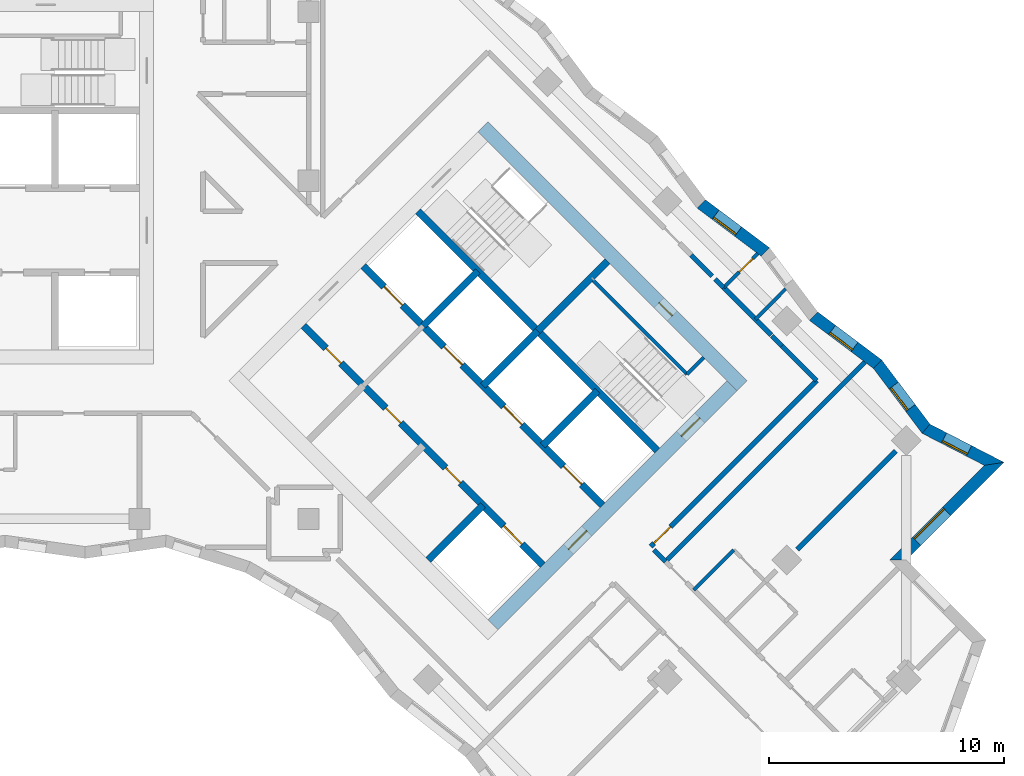
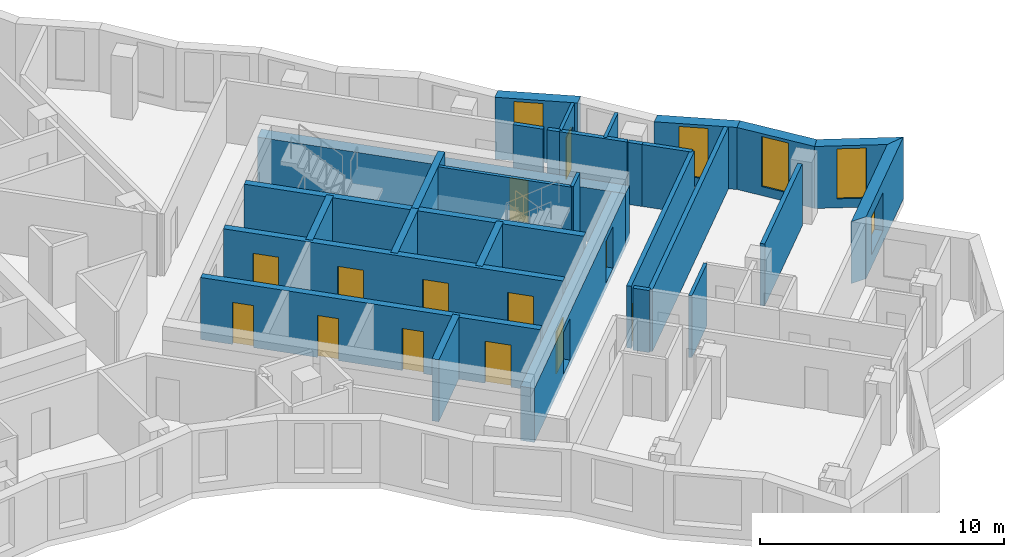
# One storey, part 9 of 12: 30 walls, 13 doors, 5 windows, 18 openings.
"""IFC4 building model written with IfcOpenShell, lengths in metres."""

import ifcopenshell
import ifcopenshell.guid

model = None  # the IFC model being written
_history = None  # IfcOwnerHistory: only IFC2X3 demands one
_inside = {}  # id of a spatial element -> (the spatial element, [elements in it])
_under = {}  # id of a project, library or spatial element -> (it, [spatial elements below it])
_declared = {}  # id of a project -> (the project, [libraries it declares])
_typed = {}  # id of a type object -> (the type object, [elements of that type])
_made_of = {}  # id of a material, layer set ... -> (it, [elements and type objects made of it])


def new_model(schema):
    """Start an empty IFC model of exactly this schema.

    Asked for "IFC4X3", IfcOpenShell would pick the latest addendum, in which some entities
    have other attributes; the version numbers below select the first issue.
    IFC2X3 requires an IfcOwnerHistory on every rooted entity: one is made here for all.
    """
    global model, _history
    if schema == "IFC4X3":
        model = ifcopenshell.file(schema_version=(4, 3, 0, 0))
    else:
        model = ifcopenshell.file(schema=schema)
    _inside.clear()
    _under.clear()
    _declared.clear()
    _typed.clear()
    _made_of.clear()
    _history = None
    if model.schema == "IFC2X3":
        org = make("IfcOrganization", Name="unknown")
        user = make(
            "IfcPersonAndOrganization",
            ThePerson=make("IfcPerson", FamilyName="unknown"),
            TheOrganization=org,
        )
        app = make(
            "IfcApplication",
            ApplicationDeveloper=org,
            Version="unknown",
            ApplicationFullName="unknown",
            ApplicationIdentifier="unknown",
        )
        _history = make(
            "IfcOwnerHistory",
            OwningUser=user,
            OwningApplication=app,
            ChangeAction="ADDED",
            CreationDate=0,
        )
    return model


def make(cls, **values):
    """One entity of the class cls with the attributes given. An attribute that is None is left unset."""
    return model.create_entity(
        cls, **{name: value for name, value in values.items() if value is not None}
    )


def rooted(cls, **values):
    """An entity with a GlobalId (a new one), such as an element, a storey or a relation."""
    return make(cls, GlobalId=ifcopenshell.guid.new(), OwnerHistory=_history, **values)


def si_unit(unit_type, name, prefix=None):
    """IfcSIUnit, for example si_unit("LENGTHUNIT", "METRE", prefix="MILLI")."""
    return make("IfcSIUnit", UnitType=unit_type, Prefix=prefix, Name=name)


def assignment(units):
    """IfcUnitAssignment: the units of a project."""
    return None if units is None else make("IfcUnitAssignment", Units=units)


def point(xyz):
    """IfcCartesianPoint."""
    return None if xyz is None else make("IfcCartesianPoint", Coordinates=xyz)


def direction(xyz):
    """IfcDirection."""
    return None if xyz is None else make("IfcDirection", DirectionRatios=xyz)


def frame(location, z_axis=None, x_axis=None):
    """IfcAxis2Placement3D, a coordinate frame: its origin and axes. An axis left out is left unset."""
    return make(
        "IfcAxis2Placement3D",
        Location=point(location),
        Axis=direction(z_axis),
        RefDirection=direction(x_axis),
    )


def frame_2d(location, x_axis=None):
    """IfcAxis2Placement2D, a coordinate frame in the plane: its origin and x axis."""
    return make(
        "IfcAxis2Placement2D", Location=point(location), RefDirection=direction(x_axis)
    )


def origin():
    """The frame at (0, 0, 0) with its axes left unset."""
    return frame((0.0, 0.0, 0.0))


def place(relative_to, where):
    """IfcLocalPlacement: puts the frame where relative to a parent placement (None: the world)."""
    return make(
        "IfcLocalPlacement", PlacementRelTo=relative_to, RelativePlacement=where
    )


def context(
    kind, dimensions, precision=None, world=None, true_north=None, identifier=None
):
    """IfcGeometricRepresentationContext, for example the 3D "Model" context."""
    return make(
        "IfcGeometricRepresentationContext",
        ContextIdentifier=identifier,
        ContextType=kind,
        CoordinateSpaceDimension=dimensions,
        Precision=precision,
        WorldCoordinateSystem=world,
        TrueNorth=true_north,
    )


def subcontext(parent, identifier, kind, view, scale=None):
    """IfcGeometricRepresentationSubContext, for example "Body" below "Model"."""
    return make(
        "IfcGeometricRepresentationSubContext",
        ContextIdentifier=identifier,
        ContextType=kind,
        ParentContext=parent,
        TargetScale=scale,
        TargetView=view,
    )


def project(units=None, contexts=None):
    """IfcProject with its units and contexts."""
    return rooted(
        "IfcProject",
        Name="project",
        RepresentationContexts=contexts,
        UnitsInContext=assignment(units),
    )


def spatial(cls, under=None, at=None, **own):
    """A site, building, storey or space (cls), placed at a placement, below another one or the project."""
    s = rooted(cls, ObjectPlacement=at, **own)
    if under is not None:
        _under.setdefault(under.id(), (under, []))[1].append(s)
    return s


def polyline(points):
    """IfcPolyline through the points."""
    return make("IfcPolyline", Points=[point(p) for p in points])


def profile(cls, at=None, kind="AREA", **sizes):
    """A parametric profile (cls). Its sizes go by their IFC names, for example OverallWidth=200.0."""
    return make(cls, ProfileType=kind, Position=at, **sizes)


def rectangle(**sizes):
    """IfcRectangleProfileDef."""
    return profile("IfcRectangleProfileDef", **sizes)


def outline(outer, holes=None, kind="AREA"):
    """IfcArbitraryClosedProfileDef: a profile drawn as a closed curve; with holes, ...WithVoids."""
    if holes is None:
        return make("IfcArbitraryClosedProfileDef", ProfileType=kind, OuterCurve=outer)
    return make(
        "IfcArbitraryProfileDefWithVoids",
        ProfileType=kind,
        OuterCurve=outer,
        InnerCurves=holes,
    )


def extrude(swept, where, along, depth):
    """IfcExtrudedAreaSolid: the profile swept, set in the frame where, extruded along a direction by depth."""
    return make(
        "IfcExtrudedAreaSolid",
        SweptArea=swept,
        Position=where,
        ExtrudedDirection=direction(along),
        Depth=depth,
    )


def shape(context_of_items, identifier, shape_type, items):
    """IfcShapeRepresentation: the items that make up one representation, for example the "Body"."""
    return make(
        "IfcShapeRepresentation",
        ContextOfItems=context_of_items,
        RepresentationIdentifier=identifier,
        RepresentationType=shape_type,
        Items=items,
    )


def material(Name=None, Category=None):
    """IfcMaterial."""
    return make("IfcMaterial", Name=Name, Category=Category)


def layer(
    of_material, thickness, ventilated=None, Name=None, Category=None, Priority=None
):
    """IfcMaterialLayer: one layer of a wall or slab, of a material (None: an air gap)."""
    return make(
        "IfcMaterialLayer",
        Material=of_material,
        LayerThickness=thickness,
        IsVentilated=ventilated,
        Name=Name,
        Category=Category,
        Priority=Priority,
    )


def layer_set(layers, Name=None):
    """IfcMaterialLayerSet."""
    return make("IfcMaterialLayerSet", MaterialLayers=layers, LayerSetName=Name)


def made_of(thing, what):
    """Note that an element or type object is made of a material, layer set ...; save() writes the relation."""
    if what is not None:
        _made_of.setdefault(what.id(), (what, []))[1].append(thing)
    return thing


def type_object(cls, material=None, **own):
    """A type object (cls), such as IfcWallType, which elements share."""
    return made_of(rooted(cls, **own), material)


def element(
    cls,
    number,
    at=None,
    inside=None,
    cuts=None,
    type_object=None,
    material=None,
    context=None,
    identifier="Body",
    shape_type=None,
    held_by="IfcProductDefinitionShape",
    body=None,
    shapes=None,
    **own,
):
    """One element of the class cls, such as IfcWall. Its Tag is "e" and its number.

    at: its placement. inside: the storey or other place that contains it. cuts: it is an
    opening in that element (IfcRelVoidsElement). A single representation is given by context,
    identifier, shape_type and body (its items); several are given by shapes. held_by: the class
    of the entity that holds the representations. save() writes the other relations.
    """
    e = rooted(cls, Tag="e%d" % number, ObjectPlacement=at, **own)
    if body is not None:
        shapes = [shape(context, identifier, shape_type, body)]
    if shapes is not None:
        e.Representation = make(held_by, Representations=shapes)
    if inside is not None:
        _inside.setdefault(inside.id(), (inside, []))[1].append(e)
    if cuts is not None:
        rooted(
            "IfcRelVoidsElement", RelatingBuildingElement=cuts, RelatedOpeningElement=e
        )
    if type_object is not None:
        _typed.setdefault(type_object.id(), (type_object, []))[1].append(e)
    return made_of(e, material)


def fill(opening, filler):
    """IfcRelFillsElement: the door or window that sits in an opening."""
    return rooted(
        "IfcRelFillsElement",
        RelatingOpeningElement=opening,
        RelatedBuildingElement=filler,
    )


def aggregate(whole, parts):
    """IfcRelAggregates: a whole, such as a stair, and the parts it consists of."""
    return rooted("IfcRelAggregates", RelatingObject=whole, RelatedObjects=parts)


def save(model, path):
    """Write the relations noted so far, then the file.

    IfcRelAggregates (storeys below a building ...), IfcRelContainedInSpatialStructure (elements
    in a storey), IfcRelDefinesByType, IfcRelAssociatesMaterial and IfcRelDeclares: one each for
    every whole, place, type object, material and project.
    """
    for whole, parts in _under.values():
        aggregate(whole, parts)
    for where, things in _inside.values():
        rooted(
            "IfcRelContainedInSpatialStructure",
            RelatedElements=things,
            RelatingStructure=where,
        )
    for kind, things in _typed.values():
        rooted("IfcRelDefinesByType", RelatedObjects=things, RelatingType=kind)
    for what, things in _made_of.values():
        rooted("IfcRelAssociatesMaterial", RelatedObjects=things, RelatingMaterial=what)
    for by, libraries in _declared.values():
        rooted("IfcRelDeclares", RelatingContext=by, RelatedDefinitions=libraries)
    model.write(path)


model = new_model("IFC4")

# Units and contexts
model_context = context("Model", 3, precision=1e-05, world=origin(), true_north=direction((0.0, 1.0)))
body_context = subcontext(model_context, "Body", "Model", "MODEL_VIEW")
ifc_project = project(units=[si_unit("LENGTHUNIT", "METRE"), si_unit("AREAUNIT", "SQUARE_METRE"), si_unit("VOLUMEUNIT", "CUBIC_METRE"), si_unit("PLANEANGLEUNIT", "RADIAN"), si_unit("MASSUNIT", "GRAM", prefix="KILO")], contexts=[model_context])

# Site, building, storey
site_placement = place(None, origin())
site = spatial("IfcSite", under=ifc_project, at=site_placement, CompositionType="ELEMENT")
building_placement = place(site_placement, origin())
building = spatial("IfcBuilding", under=site, at=building_placement, Name="Windrow Commons", CompositionType="ELEMENT")
storey_placement = place(building_placement, frame((0.0, 0.0, 155.8)))
storey = spatial("IfcBuildingStorey", under=building, at=storey_placement, Name="L42", CompositionType="ELEMENT", Elevation=155.8)

# Wall, opening, window
ifc_material_1 = material(Name="Brick masonry, red clay brick", Category="masonry")
ifc_layer_1 = layer(ifc_material_1, 0.5)
ifc_layer_set_1 = layer_set([ifc_layer_1], Name="Brick facade wall 500")
wall_type_1 = type_object("IfcWallType", Name="Brick facade wall 500", PredefinedType="SOLIDWALL", material=ifc_layer_set_1)
wall_1_placement = place(storey_placement, frame((104.3022, 41.453, 0.0), z_axis=(0.0, 0.0, 1.0), x_axis=(0.7071240536, 0.7070895083, 0.0)))
wall_1 = element("IfcWall", 1, at=wall_1_placement, inside=storey, type_object=wall_type_1, Name="Brick facade wall L42 6", PredefinedType="SOLIDWALL", context=body_context, shape_type="SweptSolid", body=[
    extrude(outline(polyline([(0.25, -0.25), (6.1321, -0.25), (5.4469, 0.25), (-0.25, 0.25), (0.25, -0.25)])), origin(), (0.0, 0.0, 1.0), 3.1),
])
opening_1_placement = place(wall_1_placement, frame((1.125, 0.0, 0.6)))
opening_1 = element("IfcOpeningElement", 2, at=opening_1_placement, cuts=wall_1, Name="Opening W1L", PredefinedType="OPENING", context=body_context, shape_type="SweptSolid", body=[
    extrude(rectangle(XDim=1.8, YDim=1.9, at=frame_2d((0.9, 0.95))), frame((0.0, 0.26, 0.0), z_axis=(0.0, -1.0, 0.0), x_axis=(1.0, 0.0, 0.0)), (0.0, 0.0, 1.0), 0.52),
])
ifc_material_2 = material(Name="Clear float glass in anodised aluminium frame", Category="aluminium")
window_type_1 = type_object("IfcWindowType", Name="Window W1L bedroom 1800x1900", PartitioningType="SINGLE_PANEL", PredefinedType="WINDOW", material=ifc_material_2)
window_1_placement = place(opening_1_placement, origin())
window_1 = element("IfcWindow", 3, at=window_1_placement, inside=storey, type_object=window_type_1, Name="Window L42 6.1", OverallHeight=1.9, OverallWidth=1.8, PartitioningType="SINGLE_PANEL", PredefinedType="WINDOW", context=body_context, shape_type="SweptSolid", body=[
    extrude(rectangle(XDim=1.8, YDim=1.9, at=frame_2d((0.9, 0.95))), frame((0.0, 0.18, 0.0), z_axis=(0.0, -1.0, 0.0), x_axis=(1.0, 0.0, 0.0)), (0.0, 0.0, 1.0), 0.06),
])
fill(opening_1, window_1)

wall_2_placement = place(storey_placement, frame((108.3961, 45.5467, 0.0), z_axis=(0.0, 0.0, 1.0), x_axis=(-0.8890618858, 0.4577870282, 0.0)))
wall_2 = element("IfcWall", 4, at=wall_2_placement, inside=storey, type_object=wall_type_1, Name="Brick facade wall L42 7", PredefinedType="SOLIDWALL", context=body_context, shape_type="SweptSolid", body=[
    extrude(outline(polyline([(-0.3426, -0.25), (3.2052, -0.25), (3.3201, 0.25), (0.3426, 0.25), (-0.3426, -0.25)])), origin(), (0.0, 0.0, 1.0), 3.1),
])
opening_2_placement = place(wall_2_placement, frame((1.2026, 0.0, 0.45)))
opening_2 = element("IfcOpeningElement", 5, at=opening_2_placement, cuts=wall_2, Name="Opening W7E", PredefinedType="OPENING", context=body_context, shape_type="SweptSolid", body=[
    extrude(rectangle(XDim=1.2, YDim=2.5, at=frame_2d((0.6, 1.25))), frame((0.0, 0.26, 0.0), z_axis=(0.0, -1.0, 0.0), x_axis=(1.0, 0.0, 0.0)), (0.0, 0.0, 1.0), 0.52),
])
ifc_material_3 = material(Name="Clear float glass in anodised aluminium frame", Category="aluminium")
window_type_2 = type_object("IfcWindowType", Name="Window W7 notch 1200x2500", PartitioningType="SINGLE_PANEL", PredefinedType="WINDOW", material=ifc_material_3)
window_2_placement = place(opening_2_placement, origin())
window_2 = element("IfcWindow", 6, at=window_2_placement, inside=storey, type_object=window_type_2, Name="Window L42 7.1", OverallHeight=2.5, OverallWidth=1.2, PartitioningType="SINGLE_PANEL", PredefinedType="WINDOW", context=body_context, shape_type="SweptSolid", body=[
    extrude(rectangle(XDim=1.2, YDim=2.5, at=frame_2d((0.6, 1.25))), frame((0.0, 0.18, 0.0), z_axis=(0.0, -1.0, 0.0), x_axis=(1.0, 0.0, 0.0)), (0.0, 0.0, 1.0), 0.06),
])
fill(opening_2, window_2)

wall_3_placement = place(storey_placement, frame((105.4954, 47.0403, 0.0), z_axis=(0.0, 0.0, 1.0), x_axis=(-0.600158369, 0.7998811987, 0.0)))
wall_3 = element("IfcWall", 7, at=wall_3_placement, inside=storey, type_object=wall_type_1, Name="Brick facade wall L42 8", PredefinedType="SOLIDWALL", context=body_context, shape_type="SweptSolid", body=[
    extrude(outline(polyline([(0.0574, -0.25), (3.4704, -0.25), (3.3991, 0.25), (-0.0574, 0.25), (0.0574, -0.25)])), origin(), (0.0, 0.0, 1.0), 3.1),
])
opening_3_placement = place(wall_3_placement, frame((1.0995, 0.0, 0.45)))
opening_3 = element("IfcOpeningElement", 8, at=opening_3_placement, cuts=wall_3, Name="Opening W7E", PredefinedType="OPENING", context=body_context, shape_type="SweptSolid", body=[
    extrude(rectangle(XDim=1.2, YDim=2.5, at=frame_2d((0.6, 1.25))), frame((0.0, 0.26, 0.0), z_axis=(0.0, -1.0, 0.0), x_axis=(1.0, 0.0, 0.0)), (0.0, 0.0, 1.0), 0.52),
])
window_3_placement = place(opening_3_placement, origin())
window_3 = element("IfcWindow", 9, at=window_3_placement, inside=storey, type_object=window_type_2, Name="Window L42 8.1", OverallHeight=2.5, OverallWidth=1.2, PartitioningType="SINGLE_PANEL", PredefinedType="WINDOW", context=body_context, shape_type="SweptSolid", body=[
    extrude(rectangle(XDim=1.2, YDim=2.5, at=frame_2d((0.6, 1.25))), frame((0.0, 0.18, 0.0), z_axis=(0.0, -1.0, 0.0), x_axis=(1.0, 0.0, 0.0)), (0.0, 0.0, 1.0), 0.06),
])
fill(opening_3, window_3)

wall_4_placement = place(storey_placement, frame((103.434, 49.7877, 0.0), z_axis=(0.0, 0.0, 1.0), x_axis=(-0.7998874743, 0.600150005, 0.0)))
wall_4 = element("IfcWall", 10, at=wall_4_placement, inside=storey, type_object=wall_type_1, Name="Brick facade wall L42 9", PredefinedType="SOLIDWALL", context=body_context, shape_type="SweptSolid", body=[
    extrude(outline(polyline([(-0.0357, -0.25), (3.3773, -0.25), (3.4486, 0.25), (0.0357, 0.25), (-0.0357, -0.25)])), origin(), (0.0, 0.0, 1.0), 3.1),
])
opening_4_placement = place(wall_4_placement, frame((1.23, 0.0, 0.45)))
opening_4 = element("IfcOpeningElement", 11, at=opening_4_placement, cuts=wall_4, Name="Opening W7E", PredefinedType="OPENING", context=body_context, shape_type="SweptSolid", body=[
    extrude(rectangle(XDim=1.2, YDim=2.5, at=frame_2d((0.6, 1.25))), frame((0.0, 0.26, 0.0), z_axis=(0.0, -1.0, 0.0), x_axis=(1.0, 0.0, 0.0)), (0.0, 0.0, 1.0), 0.52),
])
window_4_placement = place(opening_4_placement, origin())
window_4 = element("IfcWindow", 12, at=window_4_placement, inside=storey, type_object=window_type_2, Name="Window L42 9.1", OverallHeight=2.5, OverallWidth=1.2, PartitioningType="SINGLE_PANEL", PredefinedType="WINDOW", context=body_context, shape_type="SweptSolid", body=[
    extrude(rectangle(XDim=1.2, YDim=2.5, at=frame_2d((0.6, 1.25))), frame((0.0, 0.18, 0.0), z_axis=(0.0, -1.0, 0.0), x_axis=(1.0, 0.0, 0.0)), (0.0, 0.0, 1.0), 0.06),
])
fill(opening_4, window_4)

wall_5_placement = place(storey_placement, frame((98.6557, 54.566, 0.0), z_axis=(0.0, 0.0, 1.0), x_axis=(-0.7998874743, 0.600150005, 0.0)))
wall_5 = element("IfcWall", 13, at=wall_5_placement, inside=storey, type_object=wall_type_1, Name="Brick facade wall L42 11", PredefinedType="SOLIDWALL", context=body_context, shape_type="SweptSolid", body=[
    extrude(outline(polyline([(-0.0357, -0.25), (3.3773, -0.25), (3.4486, 0.25), (0.0357, 0.25), (-0.0357, -0.25)])), origin(), (0.0, 0.0, 1.0), 3.1),
])
opening_5_placement = place(wall_5_placement, frame((1.4534, 0.0, 0.45)))
opening_5 = element("IfcOpeningElement", 14, at=opening_5_placement, cuts=wall_5, Name="Opening W7E", PredefinedType="OPENING", context=body_context, shape_type="SweptSolid", body=[
    extrude(rectangle(XDim=1.2, YDim=2.5, at=frame_2d((0.6, 1.25))), frame((0.0, 0.26, 0.0), z_axis=(0.0, -1.0, 0.0), x_axis=(1.0, 0.0, 0.0)), (0.0, 0.0, 1.0), 0.52),
])
window_5_placement = place(opening_5_placement, origin())
window_5 = element("IfcWindow", 15, at=window_5_placement, inside=storey, type_object=window_type_2, Name="Window L42 11.1", OverallHeight=2.5, OverallWidth=1.2, PartitioningType="SINGLE_PANEL", PredefinedType="WINDOW", context=body_context, shape_type="SweptSolid", body=[
    extrude(rectangle(XDim=1.2, YDim=2.5, at=frame_2d((0.6, 1.25))), frame((0.0, 0.18, 0.0), z_axis=(0.0, -1.0, 0.0), x_axis=(1.0, 0.0, 0.0)), (0.0, 0.0, 1.0), 0.06),
])
fill(opening_5, window_5)

# Wall, opening, door
ifc_material_4 = material(Name="Blockwork partition", Category="masonry")
ifc_layer_2 = layer(ifc_material_4, 0.2)
ifc_layer_set_2 = layer_set([ifc_layer_2], Name="IW-CORRIDOR-200")
wall_type_2 = type_object("IfcWallType", Name="IW-CORRIDOR-200", PredefinedType="PARTITIONING", material=ifc_layer_set_2)
wall_6_placement = place(storey_placement, frame((93.767, 42.021, 0.0), z_axis=(0.0, 0.0, 1.0), x_axis=(0.7071067812, 0.7071067812, 0.0)))
wall_6 = element("IfcWall", 16, at=wall_6_placement, inside=storey, type_object=wall_type_2, Name="W-L42-W012", PredefinedType="PARTITIONING", context=body_context, shape_type="SweptSolid", body=[
    extrude(rectangle(XDim=9.9985, YDim=0.2, at=frame_2d((4.9992, 0.0))), origin(), (0.0, 0.0, 1.0), 3.1),
])
opening_6_placement = place(wall_6_placement, frame((0.1964, 0.0, 0.0)))
opening_6 = element("IfcOpeningElement", 17, at=opening_6_placement, cuts=wall_6, Name="Opening D310F", PredefinedType="OPENING", context=body_context, shape_type="SweptSolid", body=[
    extrude(rectangle(XDim=1.0, YDim=2.1, at=frame_2d((0.5, 1.05))), frame((0.0, 0.11, 0.0), z_axis=(0.0, -1.0, 0.0), x_axis=(1.0, 0.0, 0.0)), (0.0, 0.0, 1.0), 0.22),
])
ifc_material_5 = material(Name="Timber door leaf", Category="wood")
door_type_1 = type_object("IfcDoorType", Name="DT-AMENITY-1000", OperationType="SINGLE_SWING_LEFT", PredefinedType="DOOR", material=ifc_material_5)
door_1_placement = place(opening_6_placement, origin())
door_1 = element("IfcDoor", 18, at=door_1_placement, inside=storey, type_object=door_type_1, Name="D-L42-D041", OperationType="SINGLE_SWING_LEFT", OverallHeight=2.1, OverallWidth=1.0, PredefinedType="DOOR", context=body_context, shape_type="SweptSolid", body=[
    extrude(rectangle(XDim=1.0, YDim=2.1, at=frame_2d((0.5, 1.05))), frame((0.0, 0.025, 0.0), z_axis=(0.0, -1.0, 0.0), x_axis=(1.0, 0.0, 0.0)), (0.0, 0.0, 1.0), 0.05),
])
fill(opening_6, door_1)

# Walls
wall_7_placement = place(storey_placement, frame((96.8815, 53.0535, 0.0), z_axis=(0.0, 0.0, 1.0), x_axis=(0.7071067812, -0.7071067812, 0.0)))
element("IfcWall", 19, at=wall_7_placement, inside=storey, type_object=wall_type_2, Name="W-L42-W054", PredefinedType="PARTITIONING", context=body_context, shape_type="SweptSolid", body=[
    extrude(rectangle(XDim=2.8595, YDim=0.2, at=frame_2d((1.4298, 0.0))), origin(), (0.0, 0.0, 1.0), 3.1),
])
wall_8_placement = place(storey_placement, frame((99.3517, 50.5737, 0.0), z_axis=(0.0, 0.0, 1.0), x_axis=(0.7075827869, -0.7066304548, 0.0)))
element("IfcWall", 20, at=wall_8_placement, inside=storey, type_object=wall_type_2, Name="W-L42-W110", PredefinedType="PARTITIONING", context=body_context, shape_type="SweptSolid", body=[
    extrude(rectangle(XDim=2.1001, YDim=0.2, at=frame_2d((1.05, 0.0))), origin(), (0.0, 0.0, 1.0), 3.1),
])
wall_9_placement = place(storey_placement, frame((95.4937, 54.4377, 0.0), z_axis=(0.0, 0.0, 1.0), x_axis=(0.706312726, -0.7078999456, 0.0)))
element("IfcWall", 21, at=wall_9_placement, inside=storey, type_object=wall_type_2, Name="W-L42-W138", PredefinedType="PARTITIONING", context=body_context, shape_type="SweptSolid", body=[
    extrude(rectangle(XDim=1.2601, YDim=0.2, at=frame_2d((0.63, 0.0))), origin(), (0.0, 0.0, 1.0), 3.1),
])
wall_10_placement = place(storey_placement, frame((93.9085, 41.8785, 0.0), z_axis=(0.0, 0.0, 1.0), x_axis=(0.7056768426, -0.7085338339, 0.0)))
element("IfcWall", 22, at=wall_10_placement, inside=storey, type_object=wall_type_2, Name="W-L42-W155", PredefinedType="PARTITIONING", context=body_context, shape_type="SweptSolid", body=[
    extrude(rectangle(XDim=0.7, YDim=0.2, at=frame_2d((0.35, 0.0))), origin(), (0.0, 0.0, 1.0), 3.1),
])
wall_11_placement = place(storey_placement, frame((98.9254, 50.9954, 0.0), z_axis=(0.0, 0.0, 1.0), x_axis=(0.7071067812, -0.7071067812, 0.0)))
element("IfcWall", 23, at=wall_11_placement, inside=storey, type_object=wall_type_2, Name="W-L42-W165", PredefinedType="PARTITIONING", context=body_context, shape_type="SweptSolid", body=[
    extrude(rectangle(XDim=0.5996, YDim=0.2, at=frame_2d((0.2998, 0.0))), origin(), (0.0, 0.0, 1.0), 3.1),
])
wall_12_placement = place(storey_placement, frame((96.5098, 53.4158, 0.0), z_axis=(0.0, 0.0, 1.0), x_axis=(0.7090308706, -0.7051774419, 0.0)))
element("IfcWall", 24, at=wall_12_placement, inside=storey, type_object=wall_type_2, Name="W-L42-W172", PredefinedType="PARTITIONING", context=body_context, shape_type="SweptSolid", body=[
    extrude(rectangle(XDim=0.519, YDim=0.2, at=frame_2d((0.2595, 0.0))), origin(), (0.0, 0.0, 1.0), 3.1),
])
ifc_material_6 = material(Name="Blockwork partition", Category="masonry")
ifc_layer_3 = layer(ifc_material_6, 0.15)
ifc_layer_set_3 = layer_set([ifc_layer_3], Name="IW-ENSUITE-150")
wall_type_3 = type_object("IfcWallType", Name="IW-ENSUITE-150", PredefinedType="PARTITIONING", material=ifc_layer_set_3)
wall_13_placement = place(storey_placement, frame((95.6035, 40.1805, 0.0), z_axis=(0.0, 0.0, 1.0), x_axis=(0.7071067812, 0.7071067812, 0.0)))
element("IfcWall", 25, at=wall_13_placement, inside=storey, type_object=wall_type_3, Name="W-L42-W069", PredefinedType="PARTITIONING", context=body_context, shape_type="SweptSolid", body=[
    extrude(rectangle(XDim=2.4013, YDim=0.15, at=frame_2d((1.2006, 0.0))), origin(), (0.0, 0.0, 1.0), 3.1),
])

# Wall, opening, door
wall_14_placement = place(storey_placement, frame((96.8772, 53.0508, 0.0), z_axis=(0.0, 0.0, 1.0), x_axis=(0.707131173, 0.7070823885, 0.0)))
wall_14 = element("IfcWall", 26, at=wall_14_placement, inside=storey, type_object=wall_type_3, Name="W-L42-W112", PredefinedType="PARTITIONING", context=body_context, shape_type="SweptSolid", body=[
    extrude(rectangle(XDim=2.0498, YDim=0.15, at=frame_2d((1.0249, 0.0))), origin(), (0.0, 0.0, 1.0), 3.1),
])
opening_7_placement = place(wall_14_placement, frame((0.9457, 0.0, 0.0)))
opening_7 = element("IfcOpeningElement", 27, at=opening_7_placement, cuts=wall_14, Name="Opening D208N", PredefinedType="OPENING", context=body_context, shape_type="SweptSolid", body=[
    extrude(rectangle(XDim=0.8, YDim=2.1, at=frame_2d((0.4, 1.05))), frame((0.0, 0.085, 0.0), z_axis=(0.0, -1.0, 0.0), x_axis=(1.0, 0.0, 0.0)), (0.0, 0.0, 1.0), 0.17),
])
ifc_material_7 = material(Name="Timber door leaf", Category="wood")
door_type_2 = type_object("IfcDoorType", Name="DT-ENSUITE-800", OperationType="SINGLE_SWING_LEFT", PredefinedType="DOOR", material=ifc_material_7)
door_2_placement = place(opening_7_placement, origin())
door_2 = element("IfcDoor", 28, at=door_2_placement, inside=storey, type_object=door_type_2, Name="D-L42-D045", OperationType="SINGLE_SWING_RIGHT", OverallHeight=2.1, OverallWidth=0.8, PredefinedType="DOOR", context=body_context, shape_type="SweptSolid", body=[
    extrude(rectangle(XDim=0.8, YDim=2.1, at=frame_2d((0.4, 1.05))), frame((0.0, 0.025, 0.0), z_axis=(0.0, -1.0, 0.0), x_axis=(1.0, 0.0, 0.0)), (0.0, 0.0, 1.0), 0.05),
])
fill(opening_7, door_2)

# Walls
wall_15_placement = place(storey_placement, frame((98.2239, 51.7041, 0.0), z_axis=(0.0, 0.0, 1.0), x_axis=(0.7065332413, 0.7076798563, 0.0)))
element("IfcWall", 29, at=wall_15_placement, inside=storey, type_object=wall_type_3, Name="W-L42-W128", PredefinedType="PARTITIONING", context=body_context, shape_type="SweptSolid", body=[
    extrude(rectangle(XDim=1.8315, YDim=0.15, at=frame_2d((0.9157, 0.0))), origin(), (0.0, 0.0, 1.0), 3.1),
])
ifc_material_8 = material(Name="Blockwork partition", Category="masonry")
ifc_layer_4 = layer(ifc_material_8, 0.2)
ifc_layer_set_4 = layer_set([ifc_layer_4], Name="IW-PARTY-200")
wall_type_4 = type_object("IfcWallType", Name="IW-PARTY-200", PredefinedType="PARTITIONING", material=ifc_layer_set_4)
wall_16_placement = place(storey_placement, frame((94.4014, 41.3826, 0.0), z_axis=(0.0, 0.0, 1.0), x_axis=(0.7071067812, 0.7071067812, 0.0)))
element("IfcWall", 30, at=wall_16_placement, inside=storey, type_object=wall_type_4, Name="W-L42-W007", PredefinedType="PARTITIONING", context=body_context, shape_type="SweptSolid", body=[
    extrude(rectangle(XDim=12.0145, YDim=0.2, at=frame_2d((6.0072, 0.0))), origin(), (0.0, 0.0, 1.0), 3.1),
])
wall_17_placement = place(storey_placement, frame((100.013, 41.903, 0.0), z_axis=(0.0, 0.0, 1.0), x_axis=(0.7071067812, 0.7071067812, 0.0)))
element("IfcWall", 31, at=wall_17_placement, inside=storey, type_object=wall_type_4, Name="W-L42-W028", PredefinedType="PARTITIONING", context=body_context, shape_type="SweptSolid", body=[
    extrude(rectangle(XDim=5.9284, YDim=0.2, at=frame_2d((2.9642, 0.0))), origin(), (0.0, 0.0, 1.0), 3.1),
])

# Wall, opening, door
ifc_material_9 = material(Name="Concrete C50/60", Category="concrete")
ifc_layer_5 = layer(ifc_material_9, 0.6)
ifc_layer_set_5 = layer_set([ifc_layer_5], Name="RC CORE WALL 600 C50/60")
wall_type_5 = type_object("IfcWallType", Name="RC CORE WALL 600 C50/60", PredefinedType="SHEAR", material=ifc_layer_set_5)
wall_18_placement = place(storey_placement, frame((86.6246, 59.9085, -0.3), z_axis=(0.0, 0.0, 1.0), x_axis=(0.7071067812, -0.7071067812, 0.0)))
wall_18 = element("IfcWall", 32, at=wall_18_placement, inside=storey, type_object=wall_type_5, Name="Core B wall outer-N", PredefinedType="SHEAR", context=body_context, shape_type="SweptSolid", body=[
    extrude(rectangle(XDim=15.6, YDim=0.6, at=frame_2d((7.8, 0.0))), origin(), (0.0, 0.0, 1.0), 2.7),
])
opening_8_placement = place(wall_18_placement, frame((10.6, 0.0, 0.3)))
opening_8 = element("IfcOpeningElement", 33, at=opening_8_placement, cuts=wall_18, Name="Opening D9", PredefinedType="OPENING", context=body_context, shape_type="SweptSolid", body=[
    extrude(rectangle(XDim=0.8, YDim=2.1, at=frame_2d((0.4, 1.05))), frame((0.0, 0.31, 0.0), z_axis=(0.0, -1.0, 0.0), x_axis=(1.0, 0.0, 0.0)), (0.0, 0.0, 1.0), 0.62),
])
ifc_material_10 = material(Name="Steel fire door leaf", Category="steel")
door_type_3 = type_object("IfcDoorType", Name="Riser access door 800", OperationType="SINGLE_SWING_LEFT", PredefinedType="DOOR", material=ifc_material_10)
door_3_placement = place(opening_8_placement, origin())
door_3 = element("IfcDoor", 34, at=door_3_placement, inside=storey, type_object=door_type_3, Name="Riser access door", OperationType="SINGLE_SWING_RIGHT", OverallHeight=2.1, OverallWidth=0.8, PredefinedType="DOOR", context=body_context, shape_type="SweptSolid", body=[
    extrude(rectangle(XDim=0.8, YDim=2.1, at=frame_2d((0.4, 1.05))), frame((0.0, 0.025, 0.0), z_axis=(0.0, -1.0, 0.0), x_axis=(1.0, 0.0, 0.0)), (0.0, 0.0, 1.0), 0.05),
])
fill(opening_8, door_3)

# Wall, openings, doors
wall_19_placement = place(storey_placement, frame((87.0489, 38.6953, -0.3), z_axis=(0.0, 0.0, 1.0), x_axis=(0.7071067812, 0.7071067812, 0.0)))
wall_19 = element("IfcWall", 35, at=wall_19_placement, inside=storey, type_object=wall_type_5, Name="Core B wall outer-E", PredefinedType="SHEAR", context=body_context, shape_type="SweptSolid", body=[
    extrude(rectangle(XDim=14.3999, YDim=0.6, at=frame_2d((7.2, 0.0))), origin(), (0.0, 0.0, 1.0), 2.7),
])
opening_9_placement = place(wall_19_placement, frame((4.55, 0.0, 0.3)))
opening_9 = element("IfcOpeningElement", 36, at=opening_9_placement, cuts=wall_19, Name="Opening D6", PredefinedType="OPENING", context=body_context, shape_type="SweptSolid", body=[
    extrude(rectangle(XDim=1.1, YDim=2.1, at=frame_2d((0.55, 1.05))), frame((0.0, 0.31, 0.0), z_axis=(0.0, -1.0, 0.0), x_axis=(1.0, 0.0, 0.0)), (0.0, 0.0, 1.0), 0.62),
])
opening_10_placement = place(wall_19_placement, frame((11.35, 0.0, 0.3)))
opening_10 = element("IfcOpeningElement", 37, at=opening_10_placement, cuts=wall_19, Name="Opening D7", PredefinedType="OPENING", context=body_context, shape_type="SweptSolid", body=[
    extrude(rectangle(XDim=1.1, YDim=2.1, at=frame_2d((0.55, 1.05))), frame((0.0, 0.31, 0.0), z_axis=(0.0, -1.0, 0.0), x_axis=(1.0, 0.0, 0.0)), (0.0, 0.0, 1.0), 0.62),
])
ifc_material_11 = material(Name="Steel fire door leaf", Category="steel")
door_type_4 = type_object("IfcDoorType", Name="Core lobby door 1100", OperationType="SINGLE_SWING_LEFT", PredefinedType="DOOR", material=ifc_material_11)
door_4_placement = place(opening_9_placement, origin())
door_4 = element("IfcDoor", 38, at=door_4_placement, inside=storey, type_object=door_type_4, Name="Lift lobby door", OperationType="DOUBLE_DOOR_SINGLE_SWING", OverallHeight=2.1, OverallWidth=1.1, PredefinedType="DOOR", context=body_context, shape_type="SweptSolid", body=[
    extrude(rectangle(XDim=1.1, YDim=2.1, at=frame_2d((0.55, 1.05))), frame((0.0, 0.025, 0.0), z_axis=(0.0, -1.0, 0.0), x_axis=(1.0, 0.0, 0.0)), (0.0, 0.0, 1.0), 0.05),
])
fill(opening_9, door_4)
ifc_material_12 = material(Name="Steel fire door leaf", Category="steel")
door_type_5 = type_object("IfcDoorType", Name="Stair door 1100", OperationType="SINGLE_SWING_LEFT", PredefinedType="DOOR", material=ifc_material_12)
door_5_placement = place(opening_10_placement, origin())
door_5 = element("IfcDoor", 39, at=door_5_placement, inside=storey, type_object=door_type_5, Name="Stair door", OperationType="SINGLE_SWING_RIGHT", OverallHeight=2.1, OverallWidth=1.1, PredefinedType="DOOR", context=body_context, shape_type="SweptSolid", body=[
    extrude(rectangle(XDim=1.1, YDim=2.1, at=frame_2d((0.55, 1.05))), frame((0.0, 0.025, 0.0), z_axis=(0.0, -1.0, 0.0), x_axis=(1.0, 0.0, 0.0)), (0.0, 0.0, 1.0), 0.05),
])
fill(opening_10, door_5)

# Walls
ifc_material_13 = material(Name="Concrete C50/60", Category="concrete")
ifc_layer_6 = layer(ifc_material_13, 0.3)
ifc_layer_set_6 = layer_set([ifc_layer_6], Name="RC SHAFT WALL 300 C50/60")
wall_type_6 = type_object("IfcWallType", Name="RC SHAFT WALL 300 C50/60", PredefinedType="SOLIDWALL", material=ifc_layer_set_6)
wall_20_placement = place(storey_placement, frame((84.079, 51.4232, 0.0), z_axis=(0.0, 0.0, 1.0), x_axis=(0.7071219326, 0.7070916295, 0.0)))
element("IfcWall", 40, at=wall_20_placement, inside=storey, type_object=wall_type_6, Name="Core B wall shaft-N1", PredefinedType="SOLIDWALL", context=body_context, shape_type="SweptSolid", body=[
    extrude(rectangle(XDim=3.3, YDim=0.3, at=frame_2d((1.65, 0.0))), origin(), (0.0, 0.0, 1.0), 3.1),
])
wall_21_placement = place(storey_placement, frame((86.6246, 48.8776, 0.0), z_axis=(0.0, 0.0, 1.0), x_axis=(0.7071067812, 0.7071067812, 0.0)))
element("IfcWall", 41, at=wall_21_placement, inside=storey, type_object=wall_type_6, Name="Core B wall shaft-N2", PredefinedType="SOLIDWALL", context=body_context, shape_type="SweptSolid", body=[
    extrude(rectangle(XDim=3.3001, YDim=0.3, at=frame_2d((1.6501, 0.0))), origin(), (0.0, 0.0, 1.0), 3.1),
])
wall_22_placement = place(storey_placement, frame((84.2912, 41.453, 0.0), z_axis=(0.0, 0.0, 1.0), x_axis=(0.7071067812, 0.7071067812, 0.0)))
element("IfcWall", 42, at=wall_22_placement, inside=storey, type_object=wall_type_6, Name="Core B wall shaft-S3", PredefinedType="SOLIDWALL", context=body_context, shape_type="SweptSolid", body=[
    extrude(rectangle(XDim=3.2999, YDim=0.3, at=frame_2d((1.65, 0.0))), origin(), (0.0, 0.0, 1.0), 3.1),
])
wall_23_placement = place(storey_placement, frame((89.1702, 46.332, 0.0), z_axis=(0.0, 0.0, 1.0), x_axis=(0.7071067812, 0.7071067812, 0.0)))
element("IfcWall", 43, at=wall_23_placement, inside=storey, type_object=wall_type_6, Name="Core B wall shaft-N3", PredefinedType="SOLIDWALL", context=body_context, shape_type="SweptSolid", body=[
    extrude(rectangle(XDim=3.3001, YDim=0.3, at=frame_2d((1.6501, 0.0))), origin(), (0.0, 0.0, 1.0), 3.1),
])

# Wall, openings, doors
wall_24_placement = place(storey_placement, frame((78.9879, 51.4232, 0.0), z_axis=(0.0, 0.0, 1.0), x_axis=(0.7071067812, -0.7071067812, 0.0)))
wall_24 = element("IfcWall", 44, at=wall_24_placement, inside=storey, type_object=wall_type_6, Name="Core B wall lobby-S", PredefinedType="SOLIDWALL", context=body_context, shape_type="SweptSolid", body=[
    extrude(rectangle(XDim=14.3999, YDim=0.3, at=frame_2d((7.2, 0.0))), origin(), (0.0, 0.0, 1.0), 3.1),
])
opening_11_placement = place(wall_24_placement, frame((1.35, 0.0, 0.0)))
opening_11 = element("IfcOpeningElement", 45, at=opening_11_placement, cuts=wall_24, Name="Opening D8", PredefinedType="OPENING", context=body_context, shape_type="SweptSolid", body=[
    extrude(rectangle(XDim=0.9, YDim=2.1, at=frame_2d((0.45, 1.05))), frame((0.0, 0.16, 0.0), z_axis=(0.0, -1.0, 0.0), x_axis=(1.0, 0.0, 0.0)), (0.0, 0.0, 1.0), 0.32),
])
opening_12_placement = place(wall_24_placement, frame((4.95, 0.0, 0.0)))
opening_12 = element("IfcOpeningElement", 46, at=opening_12_placement, cuts=wall_24, Name="Opening D8", PredefinedType="OPENING", context=body_context, shape_type="SweptSolid", body=[
    extrude(rectangle(XDim=0.9, YDim=2.1, at=frame_2d((0.45, 1.05))), frame((0.0, 0.16, 0.0), z_axis=(0.0, -1.0, 0.0), x_axis=(1.0, 0.0, 0.0)), (0.0, 0.0, 1.0), 0.32),
])
opening_13_placement = place(wall_24_placement, frame((8.55, 0.0, 0.0)))
opening_13 = element("IfcOpeningElement", 47, at=opening_13_placement, cuts=wall_24, Name="Opening D8", PredefinedType="OPENING", context=body_context, shape_type="SweptSolid", body=[
    extrude(rectangle(XDim=0.9, YDim=2.1, at=frame_2d((0.45, 1.05))), frame((0.0, 0.16, 0.0), z_axis=(0.0, -1.0, 0.0), x_axis=(1.0, 0.0, 0.0)), (0.0, 0.0, 1.0), 0.32),
])
opening_14_placement = place(wall_24_placement, frame((12.05, 0.0, 0.0)))
opening_14 = element("IfcOpeningElement", 48, at=opening_14_placement, cuts=wall_24, Name="Opening LD", PredefinedType="OPENING", context=body_context, shape_type="SweptSolid", body=[
    extrude(rectangle(XDim=1.1, YDim=2.1, at=frame_2d((0.55, 1.05))), frame((0.0, 0.16, 0.0), z_axis=(0.0, -1.0, 0.0), x_axis=(1.0, 0.0, 0.0)), (0.0, 0.0, 1.0), 0.32),
])
ifc_material_14 = material(Name="Steel fire door leaf", Category="steel")
door_type_6 = type_object("IfcDoorType", Name="Core store door 900", OperationType="SINGLE_SWING_LEFT", PredefinedType="DOOR", material=ifc_material_14)
door_6_placement = place(opening_11_placement, origin())
door_6 = element("IfcDoor", 49, at=door_6_placement, inside=storey, type_object=door_type_6, Name="Store door", OperationType="SINGLE_SWING_LEFT", OverallHeight=2.1, OverallWidth=0.9, PredefinedType="DOOR", context=body_context, shape_type="SweptSolid", body=[
    extrude(rectangle(XDim=0.9, YDim=2.1, at=frame_2d((0.45, 1.05))), frame((0.0, 0.025, 0.0), z_axis=(0.0, -1.0, 0.0), x_axis=(1.0, 0.0, 0.0)), (0.0, 0.0, 1.0), 0.05),
])
fill(opening_11, door_6)
door_7_placement = place(opening_12_placement, origin())
door_7 = element("IfcDoor", 50, at=door_7_placement, inside=storey, type_object=door_type_6, Name="Store door", OperationType="SINGLE_SWING_LEFT", OverallHeight=2.1, OverallWidth=0.9, PredefinedType="DOOR", context=body_context, shape_type="SweptSolid", body=[
    extrude(rectangle(XDim=0.9, YDim=2.1, at=frame_2d((0.45, 1.05))), frame((0.0, 0.025, 0.0), z_axis=(0.0, -1.0, 0.0), x_axis=(1.0, 0.0, 0.0)), (0.0, 0.0, 1.0), 0.05),
])
fill(opening_12, door_7)
door_8_placement = place(opening_13_placement, origin())
door_8 = element("IfcDoor", 51, at=door_8_placement, inside=storey, type_object=door_type_6, Name="Store door", OperationType="SINGLE_SWING_LEFT", OverallHeight=2.1, OverallWidth=0.9, PredefinedType="DOOR", context=body_context, shape_type="SweptSolid", body=[
    extrude(rectangle(XDim=0.9, YDim=2.1, at=frame_2d((0.45, 1.05))), frame((0.0, 0.025, 0.0), z_axis=(0.0, -1.0, 0.0), x_axis=(1.0, 0.0, 0.0)), (0.0, 0.0, 1.0), 0.05),
])
fill(opening_13, door_8)
ifc_material_15 = material(Name="Stainless steel door leaf", Category="steel")
door_type_7 = type_object("IfcDoorType", Name="Lift landing door 1100", OperationType="SLIDING_TO_LEFT", PredefinedType="DOOR", material=ifc_material_15)
door_9_placement = place(opening_14_placement, origin())
door_9 = element("IfcDoor", 52, at=door_9_placement, inside=storey, type_object=door_type_7, Name="Lift landing door", OperationType="SLIDING_TO_RIGHT", OverallHeight=2.1, OverallWidth=1.1, PredefinedType="DOOR", context=body_context, shape_type="SweptSolid", body=[
    extrude(rectangle(XDim=1.1, YDim=2.1, at=frame_2d((0.55, 1.05))), frame((0.0, 0.025, 0.0), z_axis=(0.0, -1.0, 0.0), x_axis=(1.0, 0.0, 0.0)), (0.0, 0.0, 1.0), 0.05),
])
fill(opening_14, door_9)

wall_25_placement = place(storey_placement, frame((81.5335, 53.9688, 0.0), z_axis=(0.0, 0.0, 1.0), x_axis=(0.707103309, -0.7071102534, 0.0)))
wall_25 = element("IfcWall", 53, at=wall_25_placement, inside=storey, type_object=wall_type_6, Name="Core B wall lobby-N", PredefinedType="SOLIDWALL", context=body_context, shape_type="SweptSolid", body=[
    extrude(rectangle(XDim=14.4, YDim=0.3, at=frame_2d((7.2, 0.0))), origin(), (0.0, 0.0, 1.0), 3.1),
])
opening_15_placement = place(wall_25_placement, frame((1.25, 0.0, 0.0)))
opening_15 = element("IfcOpeningElement", 54, at=opening_15_placement, cuts=wall_25, Name="Opening LD", PredefinedType="OPENING", context=body_context, shape_type="SweptSolid", body=[
    extrude(rectangle(XDim=1.1, YDim=2.1, at=frame_2d((0.55, 1.05))), frame((0.0, 0.16, 0.0), z_axis=(0.0, -1.0, 0.0), x_axis=(1.0, 0.0, 0.0)), (0.0, 0.0, 1.0), 0.32),
])
opening_16_placement = place(wall_25_placement, frame((4.85, 0.0, 0.0)))
opening_16 = element("IfcOpeningElement", 55, at=opening_16_placement, cuts=wall_25, Name="Opening LD", PredefinedType="OPENING", context=body_context, shape_type="SweptSolid", body=[
    extrude(rectangle(XDim=1.1, YDim=2.1, at=frame_2d((0.55, 1.05))), frame((0.0, 0.16, 0.0), z_axis=(0.0, -1.0, 0.0), x_axis=(1.0, 0.0, 0.0)), (0.0, 0.0, 1.0), 0.32),
])
opening_17_placement = place(wall_25_placement, frame((8.45, 0.0, 0.0)))
opening_17 = element("IfcOpeningElement", 56, at=opening_17_placement, cuts=wall_25, Name="Opening LD", PredefinedType="OPENING", context=body_context, shape_type="SweptSolid", body=[
    extrude(rectangle(XDim=1.1, YDim=2.1, at=frame_2d((0.55, 1.05))), frame((0.0, 0.16, 0.0), z_axis=(0.0, -1.0, 0.0), x_axis=(1.0, 0.0, 0.0)), (0.0, 0.0, 1.0), 0.32),
])
opening_18_placement = place(wall_25_placement, frame((12.05, 0.0, 0.0)))
opening_18 = element("IfcOpeningElement", 57, at=opening_18_placement, cuts=wall_25, Name="Opening LD", PredefinedType="OPENING", context=body_context, shape_type="SweptSolid", body=[
    extrude(rectangle(XDim=1.1, YDim=2.1, at=frame_2d((0.55, 1.05))), frame((0.0, 0.16, 0.0), z_axis=(0.0, -1.0, 0.0), x_axis=(1.0, 0.0, 0.0)), (0.0, 0.0, 1.0), 0.32),
])
door_10_placement = place(opening_15_placement, origin())
door_10 = element("IfcDoor", 58, at=door_10_placement, inside=storey, type_object=door_type_7, Name="Lift landing door", OperationType="SLIDING_TO_LEFT", OverallHeight=2.1, OverallWidth=1.1, PredefinedType="DOOR", context=body_context, shape_type="SweptSolid", body=[
    extrude(rectangle(XDim=1.1, YDim=2.1, at=frame_2d((0.55, 1.05))), frame((0.0, 0.025, 0.0), z_axis=(0.0, -1.0, 0.0), x_axis=(1.0, 0.0, 0.0)), (0.0, 0.0, 1.0), 0.05),
])
fill(opening_15, door_10)
door_11_placement = place(opening_16_placement, origin())
door_11 = element("IfcDoor", 59, at=door_11_placement, inside=storey, type_object=door_type_7, Name="Lift landing door", OperationType="SLIDING_TO_RIGHT", OverallHeight=2.1, OverallWidth=1.1, PredefinedType="DOOR", context=body_context, shape_type="SweptSolid", body=[
    extrude(rectangle(XDim=1.1, YDim=2.1, at=frame_2d((0.55, 1.05))), frame((0.0, 0.025, 0.0), z_axis=(0.0, -1.0, 0.0), x_axis=(1.0, 0.0, 0.0)), (0.0, 0.0, 1.0), 0.05),
])
fill(opening_16, door_11)
door_12_placement = place(opening_17_placement, origin())
door_12 = element("IfcDoor", 60, at=door_12_placement, inside=storey, type_object=door_type_7, Name="Lift landing door", OperationType="SLIDING_TO_LEFT", OverallHeight=2.1, OverallWidth=1.1, PredefinedType="DOOR", context=body_context, shape_type="SweptSolid", body=[
    extrude(rectangle(XDim=1.1, YDim=2.1, at=frame_2d((0.55, 1.05))), frame((0.0, 0.025, 0.0), z_axis=(0.0, -1.0, 0.0), x_axis=(1.0, 0.0, 0.0)), (0.0, 0.0, 1.0), 0.05),
])
fill(opening_17, door_12)
door_13_placement = place(opening_18_placement, origin())
door_13 = element("IfcDoor", 61, at=door_13_placement, inside=storey, type_object=door_type_7, Name="Lift landing door", OperationType="SLIDING_TO_RIGHT", OverallHeight=2.1, OverallWidth=1.1, PredefinedType="DOOR", context=body_context, shape_type="SweptSolid", body=[
    extrude(rectangle(XDim=1.1, YDim=2.1, at=frame_2d((0.55, 1.05))), frame((0.0, 0.025, 0.0), z_axis=(0.0, -1.0, 0.0), x_axis=(1.0, 0.0, 0.0)), (0.0, 0.0, 1.0), 0.05),
])
fill(opening_18, door_13)

# Walls
for number, where, z_axis, x_axis, name in (
    (62, (83.8669, 56.3022, 0.0), (0.0, 0.0, 1.0), (0.7071137256, -0.7070998367, 0.0), "Core B wall stair-S"),
    (63, (88.9581, 51.2111, 0.0), (0.0, 0.0, 1.0), (0.7070998367, -0.7071137256, 0.0), "Core B wall stair-S2"),
):
    element("IfcWall", number, at=place(storey_placement, frame(where, z_axis=z_axis, x_axis=x_axis)), inside=storey, type_object=wall_type_6, Name=name, PredefinedType="SOLIDWALL", context=body_context, shape_type="SweptSolid", body=[
        extrude(rectangle(XDim=7.2, YDim=0.3, at=frame_2d((3.6, 0.0))), origin(), (0.0, 0.0, 1.0), 3.1),
    ])
wall_26_placement = place(storey_placement, frame((88.9581, 51.2111, 0.0), z_axis=(0.0, 0.0, 1.0), x_axis=(0.7071067812, 0.7071067812, 0.0)))
element("IfcWall", 64, at=wall_26_placement, inside=storey, type_object=wall_type_6, Name="Core B wall stair-mid", PredefinedType="SOLIDWALL", context=body_context, shape_type="SweptSolid", body=[
    extrude(rectangle(XDim=4.1999, YDim=0.3, at=frame_2d((2.1, 0.0))), origin(), (0.0, 0.0, 1.0), 3.1),
])
ifc_material_16 = material(Name="Blockwork partition", Category="masonry")
ifc_layer_7 = layer(ifc_material_16, 0.15)
ifc_layer_set_7 = layer_set([ifc_layer_7], Name="Riser partition 150")
wall_type_7 = type_object("IfcWallType", Name="Riser partition 150", PredefinedType="PARTITIONING", material=ifc_layer_set_7)
wall_27_placement = place(storey_placement, frame((91.3127, 53.3536, 0.0), z_axis=(0.0, 0.0, 1.0), x_axis=(0.7071067812, -0.7071067812, 0.0)))
element("IfcWall", 65, at=wall_27_placement, inside=storey, type_object=wall_type_7, Name="W-core-strip-B-L42", PredefinedType="PARTITIONING", context=body_context, shape_type="SweptSolid", body=[
    extrude(rectangle(XDim=5.6501, YDim=0.15, at=frame_2d((2.8251, 0.0))), origin(), (0.0, 0.0, 1.0), 3.1),
])
wall_28_placement = place(storey_placement, frame((95.3079, 49.3584, 0.0), z_axis=(0.0, 0.0, 1.0), x_axis=(0.70705776, 0.707155799, 0.0)))
element("IfcWall", 66, at=wall_28_placement, inside=storey, type_object=wall_type_7, Name="W-core-stripx-B-L42-1", PredefinedType="PARTITIONING", context=body_context, shape_type="SweptSolid", body=[
    extrude(rectangle(XDim=1.02, YDim=0.15, at=frame_2d((0.51, 0.0))), origin(), (0.0, 0.0, 1.0), 3.1),
])

save(model, "model.ifc")
